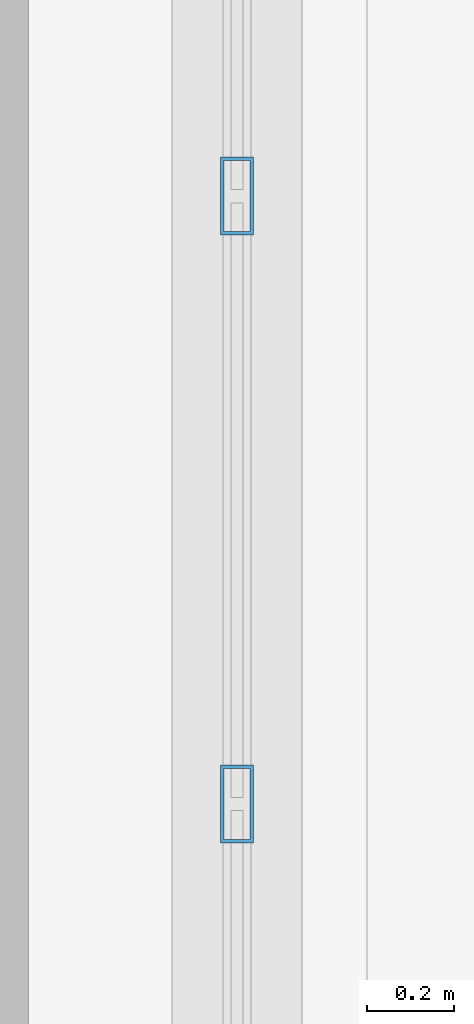
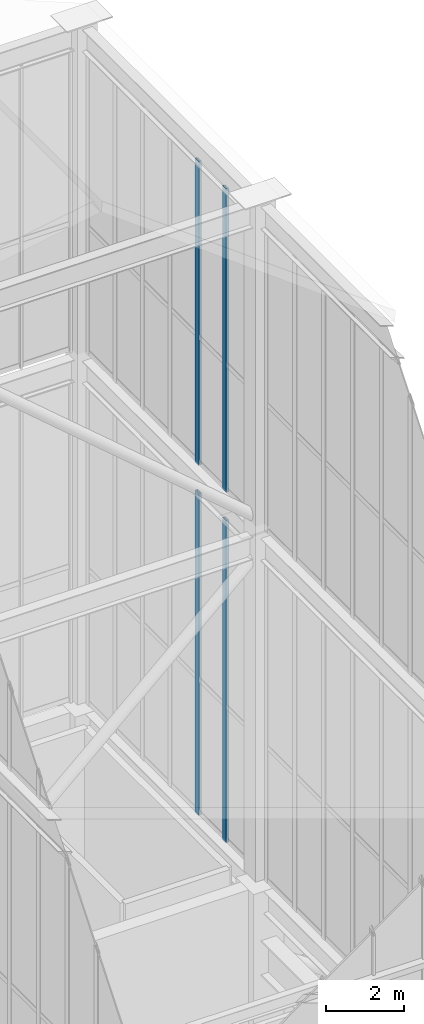
# One storey, part 23 of 135: 4 members, 2 elements without a shape of their own.
"""IFC4 building model written with IfcOpenShell, lengths in metres."""

import ifcopenshell
import ifcopenshell.guid

model = None  # the IFC model being written
_history = None  # IfcOwnerHistory: only IFC2X3 demands one
_inside = {}  # id of a spatial element -> (the spatial element, [elements in it])
_under = {}  # id of a project, library or spatial element -> (it, [spatial elements below it])
_declared = {}  # id of a project -> (the project, [libraries it declares])
_typed = {}  # id of a type object -> (the type object, [elements of that type])
_made_of = {}  # id of a material, layer set ... -> (it, [elements and type objects made of it])


def new_model(schema):
    """Start an empty IFC model of exactly this schema.

    Asked for "IFC4X3", IfcOpenShell would pick the latest addendum, in which some entities
    have other attributes; the version numbers below select the first issue.
    IFC2X3 requires an IfcOwnerHistory on every rooted entity: one is made here for all.
    """
    global model, _history
    if schema == "IFC4X3":
        model = ifcopenshell.file(schema_version=(4, 3, 0, 0))
    else:
        model = ifcopenshell.file(schema=schema)
    _inside.clear()
    _under.clear()
    _declared.clear()
    _typed.clear()
    _made_of.clear()
    _history = None
    if model.schema == "IFC2X3":
        org = make("IfcOrganization", Name="unknown")
        user = make(
            "IfcPersonAndOrganization",
            ThePerson=make("IfcPerson", FamilyName="unknown"),
            TheOrganization=org,
        )
        app = make(
            "IfcApplication",
            ApplicationDeveloper=org,
            Version="unknown",
            ApplicationFullName="unknown",
            ApplicationIdentifier="unknown",
        )
        _history = make(
            "IfcOwnerHistory",
            OwningUser=user,
            OwningApplication=app,
            ChangeAction="ADDED",
            CreationDate=0,
        )
    return model


def make(cls, **values):
    """One entity of the class cls with the attributes given. An attribute that is None is left unset."""
    return model.create_entity(
        cls, **{name: value for name, value in values.items() if value is not None}
    )


def rooted(cls, **values):
    """An entity with a GlobalId (a new one), such as an element, a storey or a relation."""
    return make(cls, GlobalId=ifcopenshell.guid.new(), OwnerHistory=_history, **values)


def si_unit(unit_type, name, prefix=None):
    """IfcSIUnit, for example si_unit("LENGTHUNIT", "METRE", prefix="MILLI")."""
    return make("IfcSIUnit", UnitType=unit_type, Prefix=prefix, Name=name)


def assignment(units):
    """IfcUnitAssignment: the units of a project."""
    return None if units is None else make("IfcUnitAssignment", Units=units)


def point(xyz):
    """IfcCartesianPoint."""
    return None if xyz is None else make("IfcCartesianPoint", Coordinates=xyz)


def direction(xyz):
    """IfcDirection."""
    return None if xyz is None else make("IfcDirection", DirectionRatios=xyz)


def frame(location, z_axis=None, x_axis=None):
    """IfcAxis2Placement3D, a coordinate frame: its origin and axes. An axis left out is left unset."""
    return make(
        "IfcAxis2Placement3D",
        Location=point(location),
        Axis=direction(z_axis),
        RefDirection=direction(x_axis),
    )


def frame_2d(location, x_axis=None):
    """IfcAxis2Placement2D, a coordinate frame in the plane: its origin and x axis."""
    return make(
        "IfcAxis2Placement2D", Location=point(location), RefDirection=direction(x_axis)
    )


def origin():
    """The frame at (0, 0, 0) with its axes left unset."""
    return frame((0.0, 0.0, 0.0))


def origin_2d():
    """The frame at (0, 0) in the plane with its x axis left unset."""
    return frame_2d((0.0, 0.0))


def place(relative_to, where):
    """IfcLocalPlacement: puts the frame where relative to a parent placement (None: the world)."""
    return make(
        "IfcLocalPlacement", PlacementRelTo=relative_to, RelativePlacement=where
    )


def context(
    kind, dimensions, precision=None, world=None, true_north=None, identifier=None
):
    """IfcGeometricRepresentationContext, for example the 3D "Model" context."""
    return make(
        "IfcGeometricRepresentationContext",
        ContextIdentifier=identifier,
        ContextType=kind,
        CoordinateSpaceDimension=dimensions,
        Precision=precision,
        WorldCoordinateSystem=world,
        TrueNorth=true_north,
    )


def subcontext(parent, identifier, kind, view, scale=None):
    """IfcGeometricRepresentationSubContext, for example "Body" below "Model"."""
    return make(
        "IfcGeometricRepresentationSubContext",
        ContextIdentifier=identifier,
        ContextType=kind,
        ParentContext=parent,
        TargetScale=scale,
        TargetView=view,
    )


def project(units=None, contexts=None):
    """IfcProject with its units and contexts."""
    return rooted(
        "IfcProject",
        Name="project",
        RepresentationContexts=contexts,
        UnitsInContext=assignment(units),
    )


def spatial(cls, under=None, at=None, **own):
    """A site, building, storey or space (cls), placed at a placement, below another one or the project."""
    s = rooted(cls, ObjectPlacement=at, **own)
    if under is not None:
        _under.setdefault(under.id(), (under, []))[1].append(s)
    return s


def profile(cls, at=None, kind="AREA", **sizes):
    """A parametric profile (cls). Its sizes go by their IFC names, for example OverallWidth=200.0."""
    return make(cls, ProfileType=kind, Position=at, **sizes)


def hollow_rectangle(**sizes):
    """IfcRectangleHollowProfileDef."""
    return profile("IfcRectangleHollowProfileDef", **sizes)


def extrude(swept, where, along, depth):
    """IfcExtrudedAreaSolid: the profile swept, set in the frame where, extruded along a direction by depth."""
    return make(
        "IfcExtrudedAreaSolid",
        SweptArea=swept,
        Position=where,
        ExtrudedDirection=direction(along),
        Depth=depth,
    )


def shape(context_of_items, identifier, shape_type, items):
    """IfcShapeRepresentation: the items that make up one representation, for example the "Body"."""
    return make(
        "IfcShapeRepresentation",
        ContextOfItems=context_of_items,
        RepresentationIdentifier=identifier,
        RepresentationType=shape_type,
        Items=items,
    )


def source(mapping_origin, context_of_items, identifier, shape_type, items):
    """IfcRepresentationMap: a shape defined once, which mapped items show again and again."""
    return make(
        "IfcRepresentationMap",
        MappingOrigin=mapping_origin,
        MappedRepresentation=shape(context_of_items, identifier, shape_type, items),
    )


def transform(
    local_origin,
    x_axis=None,
    y_axis=None,
    z_axis=None,
    scale=None,
    scale2=None,
    scale3=None,
    uniform=True,
):
    """IfcCartesianTransformationOperator3D, or its non-uniform kind. x_axis, y_axis, z_axis: its Axis1, 2, 3."""
    if uniform:
        return make(
            "IfcCartesianTransformationOperator3D",
            Axis1=direction(x_axis),
            Axis2=direction(y_axis),
            LocalOrigin=point(local_origin),
            Scale=scale,
            Axis3=direction(z_axis),
        )
    return make(
        "IfcCartesianTransformationOperator3DnonUniform",
        Axis1=direction(x_axis),
        Axis2=direction(y_axis),
        LocalOrigin=point(local_origin),
        Scale=scale,
        Axis3=direction(z_axis),
        Scale2=scale2,
        Scale3=scale3,
    )


def mapped(mapping_source, mapping_target):
    """IfcMappedItem: shows the shape of a source again, moved by a transform."""
    return make(
        "IfcMappedItem", MappingSource=mapping_source, MappingTarget=mapping_target
    )


def material(Name=None, Category=None):
    """IfcMaterial."""
    return make("IfcMaterial", Name=Name, Category=Category)


def layer(
    of_material, thickness, ventilated=None, Name=None, Category=None, Priority=None
):
    """IfcMaterialLayer: one layer of a wall or slab, of a material (None: an air gap)."""
    return make(
        "IfcMaterialLayer",
        Material=of_material,
        LayerThickness=thickness,
        IsVentilated=ventilated,
        Name=Name,
        Category=Category,
        Priority=Priority,
    )


def layer_set(layers, Name=None):
    """IfcMaterialLayerSet."""
    return make("IfcMaterialLayerSet", MaterialLayers=layers, LayerSetName=Name)


def material_profile(
    of_material, cross_section, Name=None, Category=None, Priority=None
):
    """IfcMaterialProfile: a cross section and its material."""
    return make(
        "IfcMaterialProfile",
        Name=Name,
        Material=of_material,
        Profile=cross_section,
        Priority=Priority,
        Category=Category,
    )


def profile_set(profiles, Name=None, composite=None):
    """IfcMaterialProfileSet."""
    return make(
        "IfcMaterialProfileSet",
        Name=Name,
        MaterialProfiles=profiles,
        CompositeProfile=composite,
    )


def made_of(thing, what):
    """Note that an element or type object is made of a material, layer set ...; save() writes the relation."""
    if what is not None:
        _made_of.setdefault(what.id(), (what, []))[1].append(thing)
    return thing


def type_object(cls, material=None, **own):
    """A type object (cls), such as IfcWallType, which elements share."""
    return made_of(rooted(cls, **own), material)


def element(
    cls,
    number,
    at=None,
    inside=None,
    cuts=None,
    type_object=None,
    material=None,
    context=None,
    identifier="Body",
    shape_type=None,
    held_by="IfcProductDefinitionShape",
    body=None,
    shapes=None,
    **own,
):
    """One element of the class cls, such as IfcWall. Its Tag is "e" and its number.

    at: its placement. inside: the storey or other place that contains it. cuts: it is an
    opening in that element (IfcRelVoidsElement). A single representation is given by context,
    identifier, shape_type and body (its items); several are given by shapes. held_by: the class
    of the entity that holds the representations. save() writes the other relations.
    """
    e = rooted(cls, Tag="e%d" % number, ObjectPlacement=at, **own)
    if body is not None:
        shapes = [shape(context, identifier, shape_type, body)]
    if shapes is not None:
        e.Representation = make(held_by, Representations=shapes)
    if inside is not None:
        _inside.setdefault(inside.id(), (inside, []))[1].append(e)
    if cuts is not None:
        rooted(
            "IfcRelVoidsElement", RelatingBuildingElement=cuts, RelatedOpeningElement=e
        )
    if type_object is not None:
        _typed.setdefault(type_object.id(), (type_object, []))[1].append(e)
    return made_of(e, material)


def aggregate(whole, parts):
    """IfcRelAggregates: a whole, such as a stair, and the parts it consists of."""
    return rooted("IfcRelAggregates", RelatingObject=whole, RelatedObjects=parts)


def save(model, path):
    """Write the relations noted so far, then the file.

    IfcRelAggregates (storeys below a building ...), IfcRelContainedInSpatialStructure (elements
    in a storey), IfcRelDefinesByType, IfcRelAssociatesMaterial and IfcRelDeclares: one each for
    every whole, place, type object, material and project.
    """
    for whole, parts in _under.values():
        aggregate(whole, parts)
    for where, things in _inside.values():
        rooted(
            "IfcRelContainedInSpatialStructure",
            RelatedElements=things,
            RelatingStructure=where,
        )
    for kind, things in _typed.values():
        rooted("IfcRelDefinesByType", RelatedObjects=things, RelatingType=kind)
    for what, things in _made_of.values():
        rooted("IfcRelAssociatesMaterial", RelatedObjects=things, RelatingMaterial=what)
    for by, libraries in _declared.values():
        rooted("IfcRelDeclares", RelatingContext=by, RelatedDefinitions=libraries)
    model.write(path)


model = new_model("IFC4")

# Units and contexts
model_context = context("Model", 3, precision=1e-05, world=origin(), true_north=direction((0.0, 1.0)))
body_context = subcontext(model_context, "Body", "Model", "MODEL_VIEW")
ifc_project = project(units=[si_unit("LENGTHUNIT", "METRE"), si_unit("AREAUNIT", "SQUARE_METRE"), si_unit("VOLUMEUNIT", "CUBIC_METRE"), si_unit("PLANEANGLEUNIT", "RADIAN"), si_unit("MASSUNIT", "GRAM", prefix="KILO")], contexts=[model_context])

# Site, building, storey
site_placement = place(None, origin())
site = spatial("IfcSite", under=ifc_project, at=site_placement, CompositionType="ELEMENT")
building_placement = place(site_placement, origin())
building = spatial("IfcBuilding", under=site, at=building_placement, Name="Giltprow Tower", CompositionType="ELEMENT")
storey_placement = place(building_placement, frame((0.0, 0.0, 352.699951171875)))
storey = spatial("IfcBuildingStorey", under=building, at=storey_placement, Name="L92", CompositionType="ELEMENT", Elevation=352.699951171875)

# Curtain wall, members
ifc_material = material(Name="Anodized bronze", Category="metal")
ifc_layer = layer(ifc_material, 0.179931640625, Name="Anodized bronze")
ifc_layer_set = layer_set([ifc_layer], Name="Anodized bronze")
curtain_wall_type = type_object("IfcCurtainWallType", Name="CW-CROWN-LANTERN", PredefinedType="NOTDEFINED", material=ifc_layer_set)
curtain_wall_1_placement = place(storey_placement, origin())
curtain_wall_1 = element("IfcCurtainWall", 1, at=curtain_wall_1_placement, inside=storey, type_object=curtain_wall_type, Name="Crown West Lower Lantern Glazing 3", PredefinedType="NOTDEFINED")
ifc_material_profile = material_profile(ifc_material, hollow_rectangle(XDim=0.074951171875, YDim=0.179931640625, WallThickness=0.008056640625, at=origin_2d()), Name="RHS 180x75x8")
ifc_profile_set = profile_set([ifc_material_profile], Name="Anodized bronze")
member_type = type_object("IfcMemberType", Name="CW-MULLION-180x75", PredefinedType="MULLION", material=ifc_profile_set)
shared_shape_1 = source(origin(), body_context, "Body", "SweptSolid", [
    extrude(hollow_rectangle(XDim=0.074951171875, YDim=0.179931640625, WallThickness=0.008056640625, at=origin_2d()), origin(), (0.0, 0.0, 1.0), 10.030029296875),
])
member_1_placement = place(storey_placement, frame((30.800048828125, 39.199951171875, 6.35009765625), z_axis=(0.0, 0.0, 1.0), x_axis=(1.0, 0.0, 0.0)))
member_1 = element("IfcMember", 2, at=member_1_placement, type_object=member_type, Name="Crown West Lower Lantern Glazing 3 Mullion 2", PredefinedType="MULLION", context=body_context, shape_type="MappedRepresentation", body=[
    mapped(shared_shape_1, transform((0.0, 0.0, 0.0), x_axis=(1.0, 0.0, 0.0), y_axis=(0.0, 1.0, 0.0), z_axis=(0.0, 0.0, 1.0), scale=1.0)),
])
member_2_placement = place(storey_placement, frame((30.800048828125, 40.60009765625, 6.35009765625), z_axis=(0.0, 0.0, 1.0), x_axis=(1.0, 0.0, 0.0)))
member_2 = element("IfcMember", 3, at=member_2_placement, type_object=member_type, Name="Crown West Lower Lantern Glazing 3 Mullion 3", PredefinedType="MULLION", context=body_context, shape_type="MappedRepresentation", body=[
    mapped(shared_shape_1, transform((0.0, 0.0, 0.0), x_axis=(1.0, 0.0, 0.0), y_axis=(0.0, 1.0, 0.0), z_axis=(0.0, 0.0, 1.0), scale=1.0)),
])
aggregate(curtain_wall_1, [member_1, member_2])

curtain_wall_2_placement = place(storey_placement, origin())
curtain_wall_2 = element("IfcCurtainWall", 4, at=curtain_wall_2_placement, inside=storey, type_object=curtain_wall_type, Name="Crown West Upper Lantern Glazing 3", PredefinedType="NOTDEFINED")
shared_shape_2 = source(origin(), body_context, "Body", "SweptSolid", [
    extrude(hollow_rectangle(XDim=0.074951171875, YDim=0.179931640625, WallThickness=0.008056640625, at=origin_2d()), origin(), (0.0, 0.0, 1.0), 9.45703125),
])
member_3_placement = place(storey_placement, frame((30.800048828125, 39.199951171875, 17.25), z_axis=(0.0, 0.0, 1.0), x_axis=(1.0, 0.0, 0.0)))
member_3 = element("IfcMember", 5, at=member_3_placement, type_object=member_type, Name="Crown West Upper Lantern Glazing 3 Mullion 2", PredefinedType="MULLION", context=body_context, shape_type="MappedRepresentation", body=[
    mapped(shared_shape_2, transform((0.0, 0.0, 0.0), x_axis=(1.0, 0.0, 0.0), y_axis=(0.0, 1.0, 0.0), z_axis=(0.0, 0.0, 1.0), scale=1.0)),
])
member_4_placement = place(storey_placement, frame((30.800048828125, 40.60009765625, 17.25), z_axis=(0.0, 0.0, 1.0), x_axis=(1.0, 0.0, 0.0)))
member_4 = element("IfcMember", 6, at=member_4_placement, type_object=member_type, Name="Crown West Upper Lantern Glazing 3 Mullion 3", PredefinedType="MULLION", context=body_context, shape_type="MappedRepresentation", body=[
    mapped(shared_shape_2, transform((0.0, 0.0, 0.0), x_axis=(1.0, 0.0, 0.0), y_axis=(0.0, 1.0, 0.0), z_axis=(0.0, 0.0, 1.0), scale=1.0)),
])
aggregate(curtain_wall_2, [member_3, member_4])

save(model, "model.ifc")
